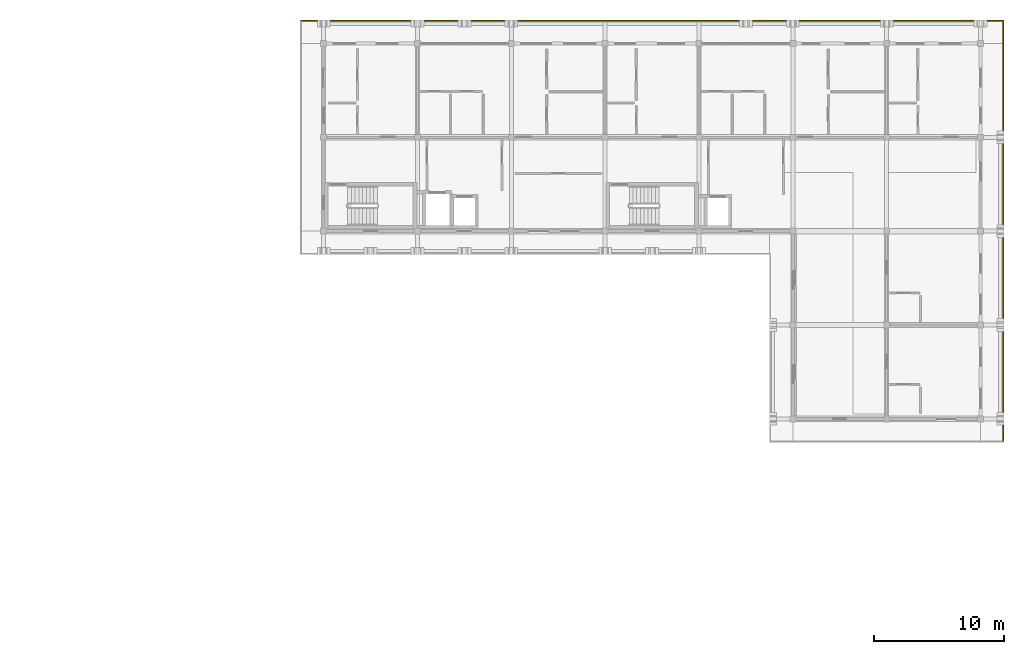
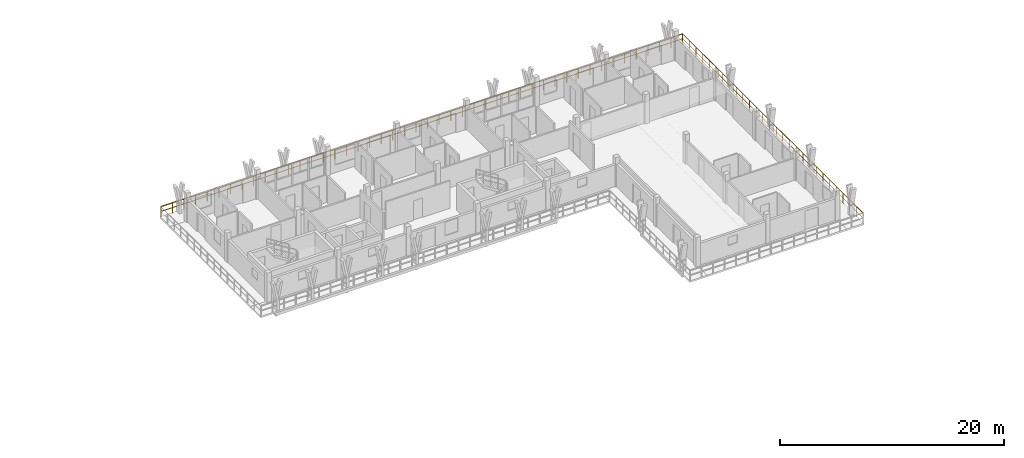
# One storey, part 45 of 45: 2 railings.
"""IFC4 building model written with IfcOpenShell, lengths in metres."""

import ifcopenshell
import ifcopenshell.guid

model = None  # the IFC model being written
_history = None  # IfcOwnerHistory: only IFC2X3 demands one
_inside = {}  # id of a spatial element -> (the spatial element, [elements in it])
_under = {}  # id of a project, library or spatial element -> (it, [spatial elements below it])
_declared = {}  # id of a project -> (the project, [libraries it declares])
_typed = {}  # id of a type object -> (the type object, [elements of that type])
_made_of = {}  # id of a material, layer set ... -> (it, [elements and type objects made of it])


def new_model(schema):
    """Start an empty IFC model of exactly this schema.

    Asked for "IFC4X3", IfcOpenShell would pick the latest addendum, in which some entities
    have other attributes; the version numbers below select the first issue.
    IFC2X3 requires an IfcOwnerHistory on every rooted entity: one is made here for all.
    """
    global model, _history
    if schema == "IFC4X3":
        model = ifcopenshell.file(schema_version=(4, 3, 0, 0))
    else:
        model = ifcopenshell.file(schema=schema)
    _inside.clear()
    _under.clear()
    _declared.clear()
    _typed.clear()
    _made_of.clear()
    _history = None
    if model.schema == "IFC2X3":
        org = make("IfcOrganization", Name="unknown")
        user = make(
            "IfcPersonAndOrganization",
            ThePerson=make("IfcPerson", FamilyName="unknown"),
            TheOrganization=org,
        )
        app = make(
            "IfcApplication",
            ApplicationDeveloper=org,
            Version="unknown",
            ApplicationFullName="unknown",
            ApplicationIdentifier="unknown",
        )
        _history = make(
            "IfcOwnerHistory",
            OwningUser=user,
            OwningApplication=app,
            ChangeAction="ADDED",
            CreationDate=0,
        )
    return model


def make(cls, **values):
    """One entity of the class cls with the attributes given. An attribute that is None is left unset."""
    return model.create_entity(
        cls, **{name: value for name, value in values.items() if value is not None}
    )


def rooted(cls, **values):
    """An entity with a GlobalId (a new one), such as an element, a storey or a relation."""
    return make(cls, GlobalId=ifcopenshell.guid.new(), OwnerHistory=_history, **values)


def si_unit(unit_type, name, prefix=None):
    """IfcSIUnit, for example si_unit("LENGTHUNIT", "METRE", prefix="MILLI")."""
    return make("IfcSIUnit", UnitType=unit_type, Prefix=prefix, Name=name)


def assignment(units):
    """IfcUnitAssignment: the units of a project."""
    return None if units is None else make("IfcUnitAssignment", Units=units)


def point(xyz):
    """IfcCartesianPoint."""
    return None if xyz is None else make("IfcCartesianPoint", Coordinates=xyz)


def direction(xyz):
    """IfcDirection."""
    return None if xyz is None else make("IfcDirection", DirectionRatios=xyz)


def frame(location, z_axis=None, x_axis=None):
    """IfcAxis2Placement3D, a coordinate frame: its origin and axes. An axis left out is left unset."""
    return make(
        "IfcAxis2Placement3D",
        Location=point(location),
        Axis=direction(z_axis),
        RefDirection=direction(x_axis),
    )


def frame_2d(location, x_axis=None):
    """IfcAxis2Placement2D, a coordinate frame in the plane: its origin and x axis."""
    return make(
        "IfcAxis2Placement2D", Location=point(location), RefDirection=direction(x_axis)
    )


def origin():
    """The frame at (0, 0, 0) with its axes left unset."""
    return frame((0.0, 0.0, 0.0))


def origin_2d():
    """The frame at (0, 0) in the plane with its x axis left unset."""
    return frame_2d((0.0, 0.0))


def place(relative_to, where):
    """IfcLocalPlacement: puts the frame where relative to a parent placement (None: the world)."""
    return make(
        "IfcLocalPlacement", PlacementRelTo=relative_to, RelativePlacement=where
    )


def context(
    kind, dimensions, precision=None, world=None, true_north=None, identifier=None
):
    """IfcGeometricRepresentationContext, for example the 3D "Model" context."""
    return make(
        "IfcGeometricRepresentationContext",
        ContextIdentifier=identifier,
        ContextType=kind,
        CoordinateSpaceDimension=dimensions,
        Precision=precision,
        WorldCoordinateSystem=world,
        TrueNorth=true_north,
    )


def subcontext(parent, identifier, kind, view, scale=None):
    """IfcGeometricRepresentationSubContext, for example "Body" below "Model"."""
    return make(
        "IfcGeometricRepresentationSubContext",
        ContextIdentifier=identifier,
        ContextType=kind,
        ParentContext=parent,
        TargetScale=scale,
        TargetView=view,
    )


def project(units=None, contexts=None):
    """IfcProject with its units and contexts."""
    return rooted(
        "IfcProject",
        Name="project",
        RepresentationContexts=contexts,
        UnitsInContext=assignment(units),
    )


def spatial(cls, under=None, at=None, **own):
    """A site, building, storey or space (cls), placed at a placement, below another one or the project."""
    s = rooted(cls, ObjectPlacement=at, **own)
    if under is not None:
        _under.setdefault(under.id(), (under, []))[1].append(s)
    return s


def profile(cls, at=None, kind="AREA", **sizes):
    """A parametric profile (cls). Its sizes go by their IFC names, for example OverallWidth=200.0."""
    return make(cls, ProfileType=kind, Position=at, **sizes)


def rectangle(**sizes):
    """IfcRectangleProfileDef."""
    return profile("IfcRectangleProfileDef", **sizes)


def extrude(swept, where, along, depth):
    """IfcExtrudedAreaSolid: the profile swept, set in the frame where, extruded along a direction by depth."""
    return make(
        "IfcExtrudedAreaSolid",
        SweptArea=swept,
        Position=where,
        ExtrudedDirection=direction(along),
        Depth=depth,
    )


def shape(context_of_items, identifier, shape_type, items):
    """IfcShapeRepresentation: the items that make up one representation, for example the "Body"."""
    return make(
        "IfcShapeRepresentation",
        ContextOfItems=context_of_items,
        RepresentationIdentifier=identifier,
        RepresentationType=shape_type,
        Items=items,
    )


def material(Name=None, Category=None):
    """IfcMaterial."""
    return make("IfcMaterial", Name=Name, Category=Category)


def made_of(thing, what):
    """Note that an element or type object is made of a material, layer set ...; save() writes the relation."""
    if what is not None:
        _made_of.setdefault(what.id(), (what, []))[1].append(thing)
    return thing


def type_object(cls, material=None, **own):
    """A type object (cls), such as IfcWallType, which elements share."""
    return made_of(rooted(cls, **own), material)


def element(
    cls,
    number,
    at=None,
    inside=None,
    cuts=None,
    type_object=None,
    material=None,
    context=None,
    identifier="Body",
    shape_type=None,
    held_by="IfcProductDefinitionShape",
    body=None,
    shapes=None,
    **own,
):
    """One element of the class cls, such as IfcWall. Its Tag is "e" and its number.

    at: its placement. inside: the storey or other place that contains it. cuts: it is an
    opening in that element (IfcRelVoidsElement). A single representation is given by context,
    identifier, shape_type and body (its items); several are given by shapes. held_by: the class
    of the entity that holds the representations. save() writes the other relations.
    """
    e = rooted(cls, Tag="e%d" % number, ObjectPlacement=at, **own)
    if body is not None:
        shapes = [shape(context, identifier, shape_type, body)]
    if shapes is not None:
        e.Representation = make(held_by, Representations=shapes)
    if inside is not None:
        _inside.setdefault(inside.id(), (inside, []))[1].append(e)
    if cuts is not None:
        rooted(
            "IfcRelVoidsElement", RelatingBuildingElement=cuts, RelatedOpeningElement=e
        )
    if type_object is not None:
        _typed.setdefault(type_object.id(), (type_object, []))[1].append(e)
    return made_of(e, material)


def aggregate(whole, parts):
    """IfcRelAggregates: a whole, such as a stair, and the parts it consists of."""
    return rooted("IfcRelAggregates", RelatingObject=whole, RelatedObjects=parts)


def save(model, path):
    """Write the relations noted so far, then the file.

    IfcRelAggregates (storeys below a building ...), IfcRelContainedInSpatialStructure (elements
    in a storey), IfcRelDefinesByType, IfcRelAssociatesMaterial and IfcRelDeclares: one each for
    every whole, place, type object, material and project.
    """
    for whole, parts in _under.values():
        aggregate(whole, parts)
    for where, things in _inside.values():
        rooted(
            "IfcRelContainedInSpatialStructure",
            RelatedElements=things,
            RelatingStructure=where,
        )
    for kind, things in _typed.values():
        rooted("IfcRelDefinesByType", RelatedObjects=things, RelatingType=kind)
    for what, things in _made_of.values():
        rooted("IfcRelAssociatesMaterial", RelatedObjects=things, RelatingMaterial=what)
    for by, libraries in _declared.values():
        rooted("IfcRelDeclares", RelatingContext=by, RelatedDefinitions=libraries)
    model.write(path)


model = new_model("IFC4")

# Units and contexts
model_context = context("Model", 3, precision=1e-05, world=origin(), true_north=direction((0.0, 1.0)))
body_context = subcontext(model_context, "Body", "Model", "MODEL_VIEW")
ifc_project = project(units=[si_unit("LENGTHUNIT", "METRE"), si_unit("AREAUNIT", "SQUARE_METRE"), si_unit("VOLUMEUNIT", "CUBIC_METRE"), si_unit("PLANEANGLEUNIT", "RADIAN"), si_unit("MASSUNIT", "GRAM", prefix="KILO")], contexts=[model_context])

# Site, building, storey
site_placement = place(None, origin())
site = spatial("IfcSite", under=ifc_project, at=site_placement, CompositionType="ELEMENT")
building_placement = place(site_placement, origin())
building = spatial("IfcBuilding", under=site, at=building_placement, Name="Suanplinth Sawtooth Commons", CompositionType="ELEMENT")
storey_placement = place(building_placement, frame((0.0, 0.0, 38.0)))
storey = spatial("IfcBuildingStorey", under=building, at=storey_placement, Name="L11", CompositionType="ELEMENT", Elevation=38.0)

# Railings
ifc_material = material(Name="Powder-coated galvanized steel", Category="steel")
railing_type = type_object("IfcRailingType", Name="GR-01", PredefinedType="BALUSTRADE", material=ifc_material)
railing_1_placement = place(storey_placement, frame((135.06005859375, 124.139892578125, 0.0)))
element("IfcRailing", 1, at=railing_1_placement, inside=storey, type_object=railing_type, Name="L11 Block B Perimeter Balustrade 4", PredefinedType="BALUSTRADE", context=body_context, shape_type="SweptSolid", body=[
    extrude(rectangle(XDim=0.048095703125, YDim=0.048095703125, at=origin_2d()), frame((0.0, 0.0, 1.09619140625), z_axis=(1.0, 0.0, 0.0), x_axis=(0.0, 1.0, 0.0)), (0.0, 0.0, 1.0), 53.8798828125),
    extrude(rectangle(XDim=0.03369140625, YDim=0.03369140625, at=origin_2d()), frame((0.0, 0.0, 0.56005859375), z_axis=(1.0, 0.0, 0.0), x_axis=(0.0, 1.0, 0.0)), (0.0, 0.0, 1.0), 53.8798828125),
    extrude(rectangle(XDim=0.0419921875, YDim=0.0419921875, at=origin_2d()), origin(), (0.0, 0.0, 1.0), 1.072021484375),
    extrude(rectangle(XDim=0.0419921875, YDim=0.0419921875, at=origin_2d()), frame((1.197265625, 0.0, 0.0)), (0.0, 0.0, 1.0), 1.072021484375),
    extrude(rectangle(XDim=0.0419921875, YDim=0.0419921875, at=origin_2d()), frame((2.394775390625, 0.0, 0.0)), (0.0, 0.0, 1.0), 1.072021484375),
    extrude(rectangle(XDim=0.0419921875, YDim=0.0419921875, at=origin_2d()), frame((3.592041015625, 0.0, 0.0)), (0.0, 0.0, 1.0), 1.072021484375),
    extrude(rectangle(XDim=0.0419921875, YDim=0.0419921875, at=origin_2d()), frame((4.789306640625, 0.0, 0.0)), (0.0, 0.0, 1.0), 1.072021484375),
    extrude(rectangle(XDim=0.0419921875, YDim=0.0419921875, at=origin_2d()), frame((5.986572265625, 0.0, 0.0)), (0.0, 0.0, 1.0), 1.072021484375),
    extrude(rectangle(XDim=0.0419921875, YDim=0.0419921875, at=origin_2d()), frame((7.18408203125, 0.0, 0.0)), (0.0, 0.0, 1.0), 1.072021484375),
    extrude(rectangle(XDim=0.0419921875, YDim=0.0419921875, at=origin_2d()), frame((8.38134765625, 0.0, 0.0)), (0.0, 0.0, 1.0), 1.072021484375),
    extrude(rectangle(XDim=0.0419921875, YDim=0.0419921875, at=origin_2d()), frame((9.57861328125, 0.0, 0.0)), (0.0, 0.0, 1.0), 1.072021484375),
    extrude(rectangle(XDim=0.0419921875, YDim=0.0419921875, at=origin_2d()), frame((10.77587890625, 0.0, 0.0)), (0.0, 0.0, 1.0), 1.072021484375),
    extrude(rectangle(XDim=0.0419921875, YDim=0.0419921875, at=origin_2d()), frame((11.973388671875, 0.0, 0.0)), (0.0, 0.0, 1.0), 1.072021484375),
    extrude(rectangle(XDim=0.0419921875, YDim=0.0419921875, at=origin_2d()), frame((13.170654296875, 0.0, 0.0)), (0.0, 0.0, 1.0), 1.072021484375),
    extrude(rectangle(XDim=0.0419921875, YDim=0.0419921875, at=origin_2d()), frame((14.367919921875, 0.0, 0.0)), (0.0, 0.0, 1.0), 1.072021484375),
    extrude(rectangle(XDim=0.0419921875, YDim=0.0419921875, at=origin_2d()), frame((15.565185546875, 0.0, 0.0)), (0.0, 0.0, 1.0), 1.072021484375),
    extrude(rectangle(XDim=0.0419921875, YDim=0.0419921875, at=origin_2d()), frame((16.7626953125, 0.0, 0.0)), (0.0, 0.0, 1.0), 1.072021484375),
    extrude(rectangle(XDim=0.0419921875, YDim=0.0419921875, at=origin_2d()), frame((17.9599609375, 0.0, 0.0)), (0.0, 0.0, 1.0), 1.072021484375),
    extrude(rectangle(XDim=0.0419921875, YDim=0.0419921875, at=origin_2d()), frame((19.1572265625, 0.0, 0.0)), (0.0, 0.0, 1.0), 1.072021484375),
    extrude(rectangle(XDim=0.0419921875, YDim=0.0419921875, at=origin_2d()), frame((20.354736328125, 0.0, 0.0)), (0.0, 0.0, 1.0), 1.072021484375),
    extrude(rectangle(XDim=0.0419921875, YDim=0.0419921875, at=origin_2d()), frame((21.552001953125, 0.0, 0.0)), (0.0, 0.0, 1.0), 1.072021484375),
    extrude(rectangle(XDim=0.0419921875, YDim=0.0419921875, at=origin_2d()), frame((22.749267578125, 0.0, 0.0)), (0.0, 0.0, 1.0), 1.072021484375),
    extrude(rectangle(XDim=0.0419921875, YDim=0.0419921875, at=origin_2d()), frame((23.946533203125, 0.0, 0.0)), (0.0, 0.0, 1.0), 1.072021484375),
    extrude(rectangle(XDim=0.0419921875, YDim=0.0419921875, at=origin_2d()), frame((25.14404296875, 0.0, 0.0)), (0.0, 0.0, 1.0), 1.072021484375),
    extrude(rectangle(XDim=0.0419921875, YDim=0.0419921875, at=origin_2d()), frame((26.34130859375, 0.0, 0.0)), (0.0, 0.0, 1.0), 1.072021484375),
    extrude(rectangle(XDim=0.0419921875, YDim=0.0419921875, at=origin_2d()), frame((27.53857421875, 0.0, 0.0)), (0.0, 0.0, 1.0), 1.072021484375),
    extrude(rectangle(XDim=0.0419921875, YDim=0.0419921875, at=origin_2d()), frame((28.73583984375, 0.0, 0.0)), (0.0, 0.0, 1.0), 1.072021484375),
    extrude(rectangle(XDim=0.0419921875, YDim=0.0419921875, at=origin_2d()), frame((29.933349609375, 0.0, 0.0)), (0.0, 0.0, 1.0), 1.072021484375),
    extrude(rectangle(XDim=0.0419921875, YDim=0.0419921875, at=origin_2d()), frame((31.130615234375, 0.0, 0.0)), (0.0, 0.0, 1.0), 1.072021484375),
    extrude(rectangle(XDim=0.0419921875, YDim=0.0419921875, at=origin_2d()), frame((32.327880859375, 0.0, 0.0)), (0.0, 0.0, 1.0), 1.072021484375),
    extrude(rectangle(XDim=0.0419921875, YDim=0.0419921875, at=origin_2d()), frame((33.525146484375, 0.0, 0.0)), (0.0, 0.0, 1.0), 1.072021484375),
    extrude(rectangle(XDim=0.0419921875, YDim=0.0419921875, at=origin_2d()), frame((34.72265625, 0.0, 0.0)), (0.0, 0.0, 1.0), 1.072021484375),
    extrude(rectangle(XDim=0.0419921875, YDim=0.0419921875, at=origin_2d()), frame((35.919921875, 0.0, 0.0)), (0.0, 0.0, 1.0), 1.072021484375),
    extrude(rectangle(XDim=0.0419921875, YDim=0.0419921875, at=origin_2d()), frame((37.1171875, 0.0, 0.0)), (0.0, 0.0, 1.0), 1.072021484375),
    extrude(rectangle(XDim=0.0419921875, YDim=0.0419921875, at=origin_2d()), frame((38.314697265625, 0.0, 0.0)), (0.0, 0.0, 1.0), 1.072021484375),
    extrude(rectangle(XDim=0.0419921875, YDim=0.0419921875, at=origin_2d()), frame((39.511962890625, 0.0, 0.0)), (0.0, 0.0, 1.0), 1.072021484375),
    extrude(rectangle(XDim=0.0419921875, YDim=0.0419921875, at=origin_2d()), frame((40.709228515625, 0.0, 0.0)), (0.0, 0.0, 1.0), 1.072021484375),
    extrude(rectangle(XDim=0.0419921875, YDim=0.0419921875, at=origin_2d()), frame((41.906494140625, 0.0, 0.0)), (0.0, 0.0, 1.0), 1.072021484375),
    extrude(rectangle(XDim=0.0419921875, YDim=0.0419921875, at=origin_2d()), frame((43.10400390625, 0.0, 0.0)), (0.0, 0.0, 1.0), 1.072021484375),
    extrude(rectangle(XDim=0.0419921875, YDim=0.0419921875, at=origin_2d()), frame((44.30126953125, 0.0, 0.0)), (0.0, 0.0, 1.0), 1.072021484375),
    extrude(rectangle(XDim=0.0419921875, YDim=0.0419921875, at=origin_2d()), frame((45.49853515625, 0.0, 0.0)), (0.0, 0.0, 1.0), 1.072021484375),
    extrude(rectangle(XDim=0.0419921875, YDim=0.0419921875, at=origin_2d()), frame((46.69580078125, 0.0, 0.0)), (0.0, 0.0, 1.0), 1.072021484375),
    extrude(rectangle(XDim=0.0419921875, YDim=0.0419921875, at=origin_2d()), frame((47.893310546875, 0.0, 0.0)), (0.0, 0.0, 1.0), 1.072021484375),
    extrude(rectangle(XDim=0.0419921875, YDim=0.0419921875, at=origin_2d()), frame((49.090576171875, 0.0, 0.0)), (0.0, 0.0, 1.0), 1.072021484375),
    extrude(rectangle(XDim=0.0419921875, YDim=0.0419921875, at=origin_2d()), frame((50.287841796875, 0.0, 0.0)), (0.0, 0.0, 1.0), 1.072021484375),
    extrude(rectangle(XDim=0.0419921875, YDim=0.0419921875, at=origin_2d()), frame((51.485107421875, 0.0, 0.0)), (0.0, 0.0, 1.0), 1.072021484375),
    extrude(rectangle(XDim=0.0419921875, YDim=0.0419921875, at=origin_2d()), frame((52.6826171875, 0.0, 0.0)), (0.0, 0.0, 1.0), 1.072021484375),
    extrude(rectangle(XDim=0.0419921875, YDim=0.0419921875, at=origin_2d()), frame((53.8798828125, 0.0, 0.0)), (0.0, 0.0, 1.0), 1.072021484375),
])
railing_2_placement = place(storey_placement, frame((188.93994140625, 124.139892578125, 0.0)))
element("IfcRailing", 2, at=railing_2_placement, inside=storey, type_object=railing_type, Name="L11 Block B Perimeter Balustrade 5", PredefinedType="BALUSTRADE", context=body_context, shape_type="SweptSolid", body=[
    extrude(rectangle(XDim=0.048095703125, YDim=0.048095703125, at=origin_2d()), frame((0.0, 0.0, 1.09619140625), z_axis=(0.0, -1.0, 0.0), x_axis=(1.0, 0.0, 0.0)), (0.0, 0.0, 1.0), 32.27978515625),
    extrude(rectangle(XDim=0.03369140625, YDim=0.03369140625, at=origin_2d()), frame((0.0, 0.0, 0.56005859375), z_axis=(0.0, -1.0, 0.0), x_axis=(1.0, 0.0, 0.0)), (0.0, 0.0, 1.0), 32.27978515625),
    extrude(rectangle(XDim=0.0419921875, YDim=0.0419921875, at=origin_2d()), origin(), (0.0, 0.0, 1.0), 1.072021484375),
    extrude(rectangle(XDim=0.0419921875, YDim=0.0419921875, at=origin_2d()), frame((0.0, -1.195556640625, 0.0)), (0.0, 0.0, 1.0), 1.072021484375),
    extrude(rectangle(XDim=0.0419921875, YDim=0.0419921875, at=origin_2d()), frame((0.0, -2.39111328125, 0.0)), (0.0, 0.0, 1.0), 1.072021484375),
    extrude(rectangle(XDim=0.0419921875, YDim=0.0419921875, at=origin_2d()), frame((0.0, -3.586669921875, 0.0)), (0.0, 0.0, 1.0), 1.072021484375),
    extrude(rectangle(XDim=0.0419921875, YDim=0.0419921875, at=origin_2d()), frame((0.0, -4.7822265625, 0.0)), (0.0, 0.0, 1.0), 1.072021484375),
    extrude(rectangle(XDim=0.0419921875, YDim=0.0419921875, at=origin_2d()), frame((0.0, -5.977783203125, 0.0)), (0.0, 0.0, 1.0), 1.072021484375),
    extrude(rectangle(XDim=0.0419921875, YDim=0.0419921875, at=origin_2d()), frame((0.0, -7.17333984375, 0.0)), (0.0, 0.0, 1.0), 1.072021484375),
    extrude(rectangle(XDim=0.0419921875, YDim=0.0419921875, at=origin_2d()), frame((0.0, -8.368896484375, 0.0)), (0.0, 0.0, 1.0), 1.072021484375),
    extrude(rectangle(XDim=0.0419921875, YDim=0.0419921875, at=origin_2d()), frame((0.0, -9.564453125, 0.0)), (0.0, 0.0, 1.0), 1.072021484375),
    extrude(rectangle(XDim=0.0419921875, YDim=0.0419921875, at=origin_2d()), frame((0.0, -10.760009765625, 0.0)), (0.0, 0.0, 1.0), 1.072021484375),
    extrude(rectangle(XDim=0.0419921875, YDim=0.0419921875, at=origin_2d()), frame((0.0, -11.95556640625, 0.0)), (0.0, 0.0, 1.0), 1.072021484375),
    extrude(rectangle(XDim=0.0419921875, YDim=0.0419921875, at=origin_2d()), frame((0.0, -13.151123046875, 0.0)), (0.0, 0.0, 1.0), 1.072021484375),
    extrude(rectangle(XDim=0.0419921875, YDim=0.0419921875, at=origin_2d()), frame((0.0, -14.3466796875, 0.0)), (0.0, 0.0, 1.0), 1.072021484375),
    extrude(rectangle(XDim=0.0419921875, YDim=0.0419921875, at=origin_2d()), frame((0.0, -15.542236328125, 0.0)), (0.0, 0.0, 1.0), 1.072021484375),
    extrude(rectangle(XDim=0.0419921875, YDim=0.0419921875, at=origin_2d()), frame((0.0, -16.737548828125, 0.0)), (0.0, 0.0, 1.0), 1.072021484375),
    extrude(rectangle(XDim=0.0419921875, YDim=0.0419921875, at=origin_2d()), frame((0.0, -17.93310546875, 0.0)), (0.0, 0.0, 1.0), 1.072021484375),
    extrude(rectangle(XDim=0.0419921875, YDim=0.0419921875, at=origin_2d()), frame((0.0, -19.128662109375, 0.0)), (0.0, 0.0, 1.0), 1.072021484375),
    extrude(rectangle(XDim=0.0419921875, YDim=0.0419921875, at=origin_2d()), frame((0.0, -20.32421875, 0.0)), (0.0, 0.0, 1.0), 1.072021484375),
    extrude(rectangle(XDim=0.0419921875, YDim=0.0419921875, at=origin_2d()), frame((0.0, -21.519775390625, 0.0)), (0.0, 0.0, 1.0), 1.072021484375),
    extrude(rectangle(XDim=0.0419921875, YDim=0.0419921875, at=origin_2d()), frame((0.0, -22.71533203125, 0.0)), (0.0, 0.0, 1.0), 1.072021484375),
    extrude(rectangle(XDim=0.0419921875, YDim=0.0419921875, at=origin_2d()), frame((0.0, -23.910888671875, 0.0)), (0.0, 0.0, 1.0), 1.072021484375),
    extrude(rectangle(XDim=0.0419921875, YDim=0.0419921875, at=origin_2d()), frame((0.0, -25.1064453125, 0.0)), (0.0, 0.0, 1.0), 1.072021484375),
    extrude(rectangle(XDim=0.0419921875, YDim=0.0419921875, at=origin_2d()), frame((0.0, -26.302001953125, 0.0)), (0.0, 0.0, 1.0), 1.072021484375),
    extrude(rectangle(XDim=0.0419921875, YDim=0.0419921875, at=origin_2d()), frame((0.0, -27.49755859375, 0.0)), (0.0, 0.0, 1.0), 1.072021484375),
    extrude(rectangle(XDim=0.0419921875, YDim=0.0419921875, at=origin_2d()), frame((0.0, -28.693115234375, 0.0)), (0.0, 0.0, 1.0), 1.072021484375),
    extrude(rectangle(XDim=0.0419921875, YDim=0.0419921875, at=origin_2d()), frame((0.0, -29.888671875, 0.0)), (0.0, 0.0, 1.0), 1.072021484375),
    extrude(rectangle(XDim=0.0419921875, YDim=0.0419921875, at=origin_2d()), frame((0.0, -31.084228515625, 0.0)), (0.0, 0.0, 1.0), 1.072021484375),
    extrude(rectangle(XDim=0.0419921875, YDim=0.0419921875, at=origin_2d()), frame((0.0, -32.27978515625, 0.0)), (0.0, 0.0, 1.0), 1.072021484375),
])

save(model, "model.ifc")
